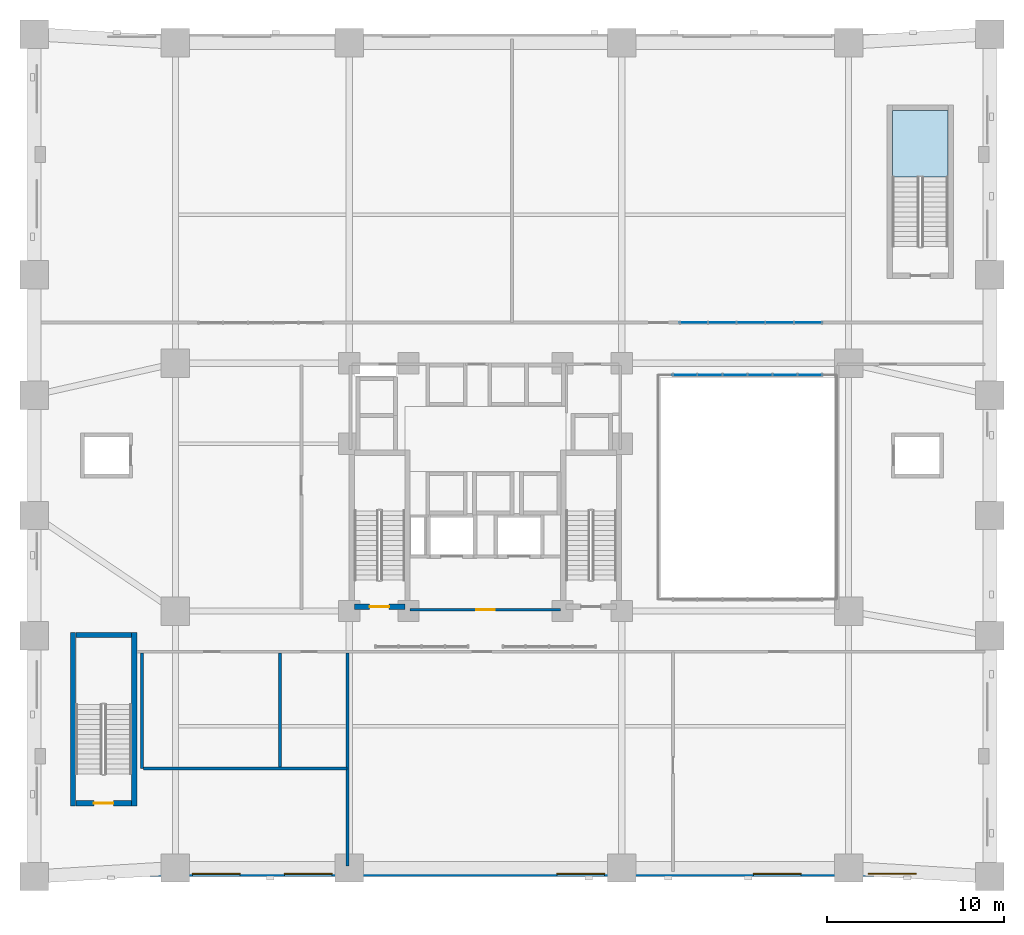
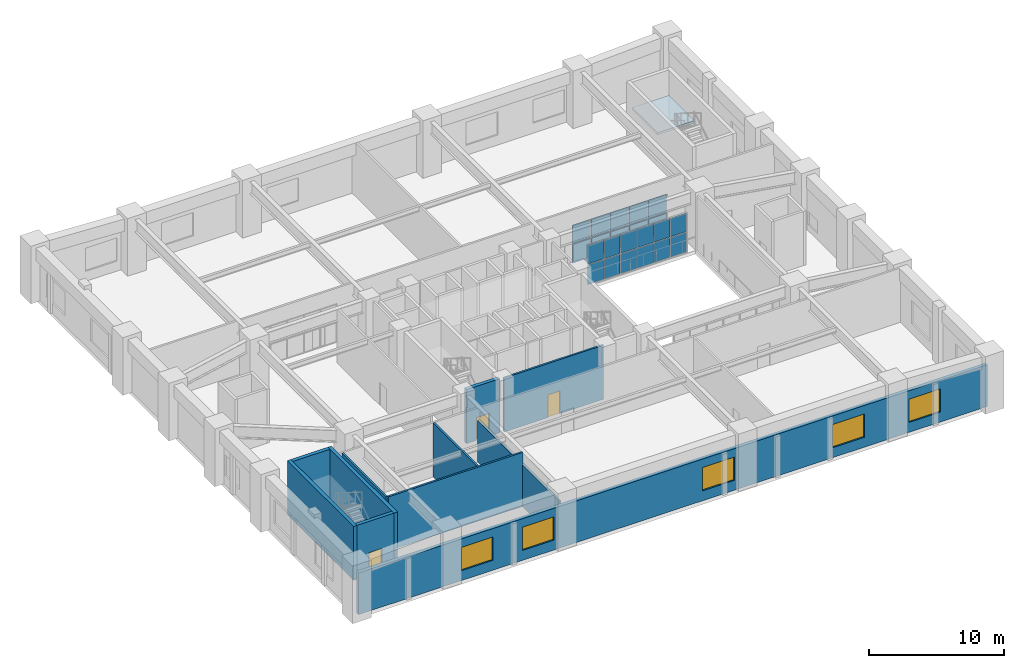
# One storey, part 7 of 14: 22 plates, 11 walls, 5 windows, 3 doors, 1 slab, 8 openings, 3 elements without a shape of their own.
"""IFC4 building model written with IfcOpenShell, lengths in metres."""

from ifc_helpers import new_model, si_unit, derived_unit, direction, frame, frame_2d, origin, origin_2d, place, context, subcontext, project, spatial, polyline, rectangle, outline, extrude, material, layer, layer_set, type_object, element, fill, aggregate, save


model = new_model("IFC4")

# Units and contexts
model_context = context("Model", 3, precision=1e-05, world=origin(), true_north=direction((0.0, 1.0)))
body_context = subcontext(model_context, "Body", "Model", "MODEL_VIEW")
ifc_project = project(units=[si_unit("LENGTHUNIT", "METRE"), si_unit("AREAUNIT", "SQUARE_METRE"), si_unit("VOLUMEUNIT", "CUBIC_METRE"), si_unit("PLANEANGLEUNIT", "RADIAN"), si_unit("MASSUNIT", "GRAM", prefix="KILO"), derived_unit("THERMALTRANSMITTANCEUNIT", [(si_unit("MASSUNIT", "GRAM", prefix="KILO"), 1), (si_unit("TIMEUNIT", "SECOND"), -3), (si_unit("THERMODYNAMICTEMPERATUREUNIT", "KELVIN"), -1)])], contexts=[model_context])

# Site, building, storey
site_placement = place(None, origin())
site = spatial("IfcSite", under=ifc_project, at=site_placement, CompositionType="ELEMENT")
building_placement = place(site_placement, origin())
building = spatial("IfcBuilding", under=site, at=building_placement, Name="Korrvale Station Residences", CompositionType="ELEMENT")
storey_placement = place(building_placement, frame((0.0, 0.0, 6.0)))
storey = spatial("IfcBuildingStorey", under=building, at=storey_placement, Name="L01", CompositionType="ELEMENT", Elevation=6.0)

# Curtain wall, plates
ifc_material_1 = material(Name="Unitised thermally broken aluminium curtain wall with triple low-e IGU", Category="aluminium")
curtain_wall_type_1 = type_object("IfcCurtainWallType", Name="CW-ATR-POD", PredefinedType="NOTDEFINED", material=ifc_material_1)
curtain_wall_1_placement = place(storey_placement, origin())
curtain_wall_1 = element("IfcCurtainWall", 1, at=curtain_wall_1_placement, inside=storey, type_object=curtain_wall_type_1, Name="L01 Curtain Wall CW3-RUN-2", PredefinedType="NOTDEFINED")
ifc_material_2 = material(Name="Triple-glazed low-e argon insulated glass unit", Category="glass")
ifc_layer_1 = layer(ifc_material_2, 0.035888671875, Name="Triple-glazed low-e argon insulated glass unit")
ifc_layer_set_1 = layer_set([ifc_layer_1], Name="Triple-glazed low-e argon insulated glass unit")
plate_type_1 = type_object("IfcPlateType", Name="CW-ATR-POD-P", PredefinedType="CURTAIN_PANEL", material=ifc_layer_set_1)
plate_1_placement = place(storey_placement, frame((36.75830078125, 28.35009765625, 0.030029296875), z_axis=(0.0, 0.0, 1.0), x_axis=(1.0, 0.0, 0.0)))
plate_1 = element("IfcPlate", 2, at=plate_1_placement, type_object=plate_type_1, Name="CW-ATR-POD Glazing Panel 1-1", PredefinedType="CURTAIN_PANEL", context=body_context, shape_type="SweptSolid", body=[
    extrude(rectangle(XDim=1.356689453125, YDim=0.035888671875, at=origin_2d()), origin(), (0.0, 0.0, 1.0), 1.7900390625),
])
plate_2_placement = place(storey_placement, frame((36.75830078125, 28.35009765625, 1.880126953125), z_axis=(0.0, 0.0, 1.0), x_axis=(1.0, 0.0, 0.0)))
plate_2 = element("IfcPlate", 3, at=plate_2_placement, type_object=plate_type_1, Name="CW-ATR-POD Glazing Panel 1-2", PredefinedType="CURTAIN_PANEL", context=body_context, shape_type="SweptSolid", body=[
    extrude(rectangle(XDim=1.356689453125, YDim=0.035888671875, at=origin_2d()), origin(), (0.0, 0.0, 1.0), 1.68994140625),
])
plate_3_placement = place(storey_placement, frame((38.175048828125, 28.35009765625, 0.030029296875), z_axis=(0.0, 0.0, 1.0), x_axis=(1.0, 0.0, 0.0)))
plate_3 = element("IfcPlate", 4, at=plate_3_placement, type_object=plate_type_1, Name="CW-ATR-POD Glazing Panel 2-1", PredefinedType="CURTAIN_PANEL", context=body_context, shape_type="SweptSolid", body=[
    extrude(rectangle(XDim=1.356689453125, YDim=0.035888671875, at=origin_2d()), origin(), (0.0, 0.0, 1.0), 1.7900390625),
])
plate_4_placement = place(storey_placement, frame((38.175048828125, 28.35009765625, 1.880126953125), z_axis=(0.0, 0.0, 1.0), x_axis=(1.0, 0.0, 0.0)))
plate_4 = element("IfcPlate", 5, at=plate_4_placement, type_object=plate_type_1, Name="CW-ATR-POD Glazing Panel 2-2", PredefinedType="CURTAIN_PANEL", context=body_context, shape_type="SweptSolid", body=[
    extrude(rectangle(XDim=1.356689453125, YDim=0.035888671875, at=origin_2d()), origin(), (0.0, 0.0, 1.0), 1.68994140625),
])
plate_5_placement = place(storey_placement, frame((39.591796875, 28.35009765625, 0.030029296875), z_axis=(0.0, 0.0, 1.0), x_axis=(1.0, 0.0, 0.0)))
plate_5 = element("IfcPlate", 6, at=plate_5_placement, type_object=plate_type_1, Name="CW-ATR-POD Glazing Panel 3-1", PredefinedType="CURTAIN_PANEL", context=body_context, shape_type="SweptSolid", body=[
    extrude(rectangle(XDim=1.356689453125, YDim=0.035888671875, at=origin_2d()), origin(), (0.0, 0.0, 1.0), 1.7900390625),
])
plate_6_placement = place(storey_placement, frame((39.591796875, 28.35009765625, 1.880126953125), z_axis=(0.0, 0.0, 1.0), x_axis=(1.0, 0.0, 0.0)))
plate_6 = element("IfcPlate", 7, at=plate_6_placement, type_object=plate_type_1, Name="CW-ATR-POD Glazing Panel 3-2", PredefinedType="CURTAIN_PANEL", context=body_context, shape_type="SweptSolid", body=[
    extrude(rectangle(XDim=1.356689453125, YDim=0.035888671875, at=origin_2d()), origin(), (0.0, 0.0, 1.0), 1.68994140625),
])
plate_7_placement = place(storey_placement, frame((41.00830078125, 28.35009765625, 0.030029296875), z_axis=(0.0, 0.0, 1.0), x_axis=(1.0, 0.0, 0.0)))
plate_7 = element("IfcPlate", 8, at=plate_7_placement, type_object=plate_type_1, Name="CW-ATR-POD Glazing Panel 4-1", PredefinedType="CURTAIN_PANEL", context=body_context, shape_type="SweptSolid", body=[
    extrude(rectangle(XDim=1.356689453125, YDim=0.035888671875, at=origin_2d()), origin(), (0.0, 0.0, 1.0), 1.7900390625),
])
plate_8_placement = place(storey_placement, frame((41.00830078125, 28.35009765625, 1.880126953125), z_axis=(0.0, 0.0, 1.0), x_axis=(1.0, 0.0, 0.0)))
plate_8 = element("IfcPlate", 9, at=plate_8_placement, type_object=plate_type_1, Name="CW-ATR-POD Glazing Panel 4-2", PredefinedType="CURTAIN_PANEL", context=body_context, shape_type="SweptSolid", body=[
    extrude(rectangle(XDim=1.356689453125, YDim=0.035888671875, at=origin_2d()), origin(), (0.0, 0.0, 1.0), 1.68994140625),
])
plate_9_placement = place(storey_placement, frame((42.425048828125, 28.35009765625, 0.030029296875), z_axis=(0.0, 0.0, 1.0), x_axis=(1.0, 0.0, 0.0)))
plate_9 = element("IfcPlate", 10, at=plate_9_placement, type_object=plate_type_1, Name="CW-ATR-POD Glazing Panel 5-1", PredefinedType="CURTAIN_PANEL", context=body_context, shape_type="SweptSolid", body=[
    extrude(rectangle(XDim=1.356689453125, YDim=0.035888671875, at=origin_2d()), origin(), (0.0, 0.0, 1.0), 1.7900390625),
])
plate_10_placement = place(storey_placement, frame((42.425048828125, 28.35009765625, 1.880126953125), z_axis=(0.0, 0.0, 1.0), x_axis=(1.0, 0.0, 0.0)))
plate_10 = element("IfcPlate", 11, at=plate_10_placement, type_object=plate_type_1, Name="CW-ATR-POD Glazing Panel 5-2", PredefinedType="CURTAIN_PANEL", context=body_context, shape_type="SweptSolid", body=[
    extrude(rectangle(XDim=1.356689453125, YDim=0.035888671875, at=origin_2d()), origin(), (0.0, 0.0, 1.0), 1.68994140625),
])
plate_11_placement = place(storey_placement, frame((43.841796875, 28.35009765625, 0.030029296875), z_axis=(0.0, 0.0, 1.0), x_axis=(1.0, 0.0, 0.0)))
plate_11 = element("IfcPlate", 12, at=plate_11_placement, type_object=plate_type_1, Name="CW-ATR-POD Glazing Panel 6-1", PredefinedType="CURTAIN_PANEL", context=body_context, shape_type="SweptSolid", body=[
    extrude(rectangle(XDim=1.356689453125, YDim=0.035888671875, at=origin_2d()), origin(), (0.0, 0.0, 1.0), 1.7900390625),
])
plate_12_placement = place(storey_placement, frame((43.841796875, 28.35009765625, 1.880126953125), z_axis=(0.0, 0.0, 1.0), x_axis=(1.0, 0.0, 0.0)))
plate_12 = element("IfcPlate", 13, at=plate_12_placement, type_object=plate_type_1, Name="CW-ATR-POD Glazing Panel 6-2", PredefinedType="CURTAIN_PANEL", context=body_context, shape_type="SweptSolid", body=[
    extrude(rectangle(XDim=1.356689453125, YDim=0.035888671875, at=origin_2d()), origin(), (0.0, 0.0, 1.0), 1.68994140625),
])
aggregate(curtain_wall_1, [plate_1, plate_2, plate_3, plate_4, plate_5, plate_6, plate_7, plate_8, plate_9, plate_10, plate_11, plate_12])

curtain_wall_type_2 = type_object("IfcCurtainWallType", Name="CW-STN-CON", PredefinedType="NOTDEFINED", material=ifc_material_1)
curtain_wall_2_placement = place(storey_placement, origin())
curtain_wall_2 = element("IfcCurtainWall", 14, at=curtain_wall_2_placement, inside=storey, type_object=curtain_wall_type_2, Name="L01 Curtain Wall CW2-RUN-4", PredefinedType="NOTDEFINED")
ifc_layer_2 = layer(ifc_material_2, 0.035888671875, Name="Triple-glazed low-e argon insulated glass unit")
ifc_layer_set_2 = layer_set([ifc_layer_2], Name="Triple-glazed low-e argon insulated glass unit")
plate_type_2 = type_object("IfcPlateType", Name="CW-STN-CON-P", PredefinedType="CURTAIN_PANEL", material=ifc_layer_set_2)
plate_13_placement = place(storey_placement, frame((37.260009765625, 31.300048828125, 0.02978515625), z_axis=(0.0, 0.0, 1.0), x_axis=(1.0, 0.0, 0.0)))
plate_13 = element("IfcPlate", 15, at=plate_13_placement, type_object=plate_type_2, Name="CW-STN-CON Glazing Panel 1-1", PredefinedType="CURTAIN_PANEL", context=body_context, shape_type="SweptSolid", body=[
    extrude(rectangle(XDim=1.56005859375, YDim=0.035888671875, at=origin_2d()), origin(), (0.0, 0.0, 1.0), 1.739990234375),
])
plate_14_placement = place(storey_placement, frame((37.260009765625, 31.300048828125, 1.830078125), z_axis=(0.0, 0.0, 1.0), x_axis=(1.0, 0.0, 0.0)))
plate_14 = element("IfcPlate", 16, at=plate_14_placement, type_object=plate_type_2, Name="CW-STN-CON Glazing Panel 1-2", PredefinedType="CURTAIN_PANEL", context=body_context, shape_type="SweptSolid", body=[
    extrude(rectangle(XDim=1.56005859375, YDim=0.035888671875, at=origin_2d()), origin(), (0.0, 0.0, 1.0), 1.639892578125),
])
plate_15_placement = place(storey_placement, frame((38.8798828125, 31.300048828125, 0.02978515625), z_axis=(0.0, 0.0, 1.0), x_axis=(1.0, 0.0, 0.0)))
plate_15 = element("IfcPlate", 17, at=plate_15_placement, type_object=plate_type_2, Name="CW-STN-CON Glazing Panel 2-1", PredefinedType="CURTAIN_PANEL", context=body_context, shape_type="SweptSolid", body=[
    extrude(rectangle(XDim=1.56005859375, YDim=0.035888671875, at=origin_2d()), origin(), (0.0, 0.0, 1.0), 1.739990234375),
])
plate_16_placement = place(storey_placement, frame((38.8798828125, 31.300048828125, 1.830078125), z_axis=(0.0, 0.0, 1.0), x_axis=(1.0, 0.0, 0.0)))
plate_16 = element("IfcPlate", 18, at=plate_16_placement, type_object=plate_type_2, Name="CW-STN-CON Glazing Panel 2-2", PredefinedType="CURTAIN_PANEL", context=body_context, shape_type="SweptSolid", body=[
    extrude(rectangle(XDim=1.56005859375, YDim=0.035888671875, at=origin_2d()), origin(), (0.0, 0.0, 1.0), 1.639892578125),
])
plate_17_placement = place(storey_placement, frame((40.5, 31.300048828125, 0.02978515625), z_axis=(0.0, 0.0, 1.0), x_axis=(1.0, 0.0, 0.0)))
plate_17 = element("IfcPlate", 19, at=plate_17_placement, type_object=plate_type_2, Name="CW-STN-CON Glazing Panel 3-1", PredefinedType="CURTAIN_PANEL", context=body_context, shape_type="SweptSolid", body=[
    extrude(rectangle(XDim=1.56005859375, YDim=0.035888671875, at=origin_2d()), origin(), (0.0, 0.0, 1.0), 1.739990234375),
])
plate_18_placement = place(storey_placement, frame((40.5, 31.300048828125, 1.830078125), z_axis=(0.0, 0.0, 1.0), x_axis=(1.0, 0.0, 0.0)))
plate_18 = element("IfcPlate", 20, at=plate_18_placement, type_object=plate_type_2, Name="CW-STN-CON Glazing Panel 3-2", PredefinedType="CURTAIN_PANEL", context=body_context, shape_type="SweptSolid", body=[
    extrude(rectangle(XDim=1.56005859375, YDim=0.035888671875, at=origin_2d()), origin(), (0.0, 0.0, 1.0), 1.639892578125),
])
plate_19_placement = place(storey_placement, frame((42.1201171875, 31.300048828125, 0.02978515625), z_axis=(0.0, 0.0, 1.0), x_axis=(1.0, 0.0, 0.0)))
plate_19 = element("IfcPlate", 21, at=plate_19_placement, type_object=plate_type_2, Name="CW-STN-CON Glazing Panel 4-1", PredefinedType="CURTAIN_PANEL", context=body_context, shape_type="SweptSolid", body=[
    extrude(rectangle(XDim=1.56005859375, YDim=0.035888671875, at=origin_2d()), origin(), (0.0, 0.0, 1.0), 1.739990234375),
])
plate_20_placement = place(storey_placement, frame((42.1201171875, 31.300048828125, 1.830078125), z_axis=(0.0, 0.0, 1.0), x_axis=(1.0, 0.0, 0.0)))
plate_20 = element("IfcPlate", 22, at=plate_20_placement, type_object=plate_type_2, Name="CW-STN-CON Glazing Panel 4-2", PredefinedType="CURTAIN_PANEL", context=body_context, shape_type="SweptSolid", body=[
    extrude(rectangle(XDim=1.56005859375, YDim=0.035888671875, at=origin_2d()), origin(), (0.0, 0.0, 1.0), 1.639892578125),
])
plate_21_placement = place(storey_placement, frame((43.739990234375, 31.300048828125, 0.02978515625), z_axis=(0.0, 0.0, 1.0), x_axis=(1.0, 0.0, 0.0)))
plate_21 = element("IfcPlate", 23, at=plate_21_placement, type_object=plate_type_2, Name="CW-STN-CON Glazing Panel 5-1", PredefinedType="CURTAIN_PANEL", context=body_context, shape_type="SweptSolid", body=[
    extrude(rectangle(XDim=1.56005859375, YDim=0.035888671875, at=origin_2d()), origin(), (0.0, 0.0, 1.0), 1.739990234375),
])
plate_22_placement = place(storey_placement, frame((43.739990234375, 31.300048828125, 1.830078125), z_axis=(0.0, 0.0, 1.0), x_axis=(1.0, 0.0, 0.0)))
plate_22 = element("IfcPlate", 24, at=plate_22_placement, type_object=plate_type_2, Name="CW-STN-CON Glazing Panel 5-2", PredefinedType="CURTAIN_PANEL", context=body_context, shape_type="SweptSolid", body=[
    extrude(rectangle(XDim=1.56005859375, YDim=0.035888671875, at=origin_2d()), origin(), (0.0, 0.0, 1.0), 1.639892578125),
])
aggregate(curtain_wall_2, [plate_13, plate_14, plate_15, plate_16, plate_17, plate_18, plate_19, plate_20, plate_21, plate_22])

# Stair, slab
ifc_material_3 = material(Name="Concrete C50/60", Category="concrete")
stair_type = type_object("IfcStairType", Name="STR-DL-1500-30R-1733", PredefinedType="HALF_TURN_STAIR", material=ifc_material_3)
stair_placement = place(storey_placement, origin())
stair = element("IfcStair", 25, at=stair_placement, inside=storey, type_object=stair_type, Name="L01 Station Exit Stair 4", PredefinedType="HALF_TURN_STAIR")
ifc_layer_3 = layer(ifc_material_3, 0.199951171875, Name="Concrete C50/60")
ifc_layer_set_3 = layer_set([ifc_layer_3], Name="Concrete C50/60")
slab_type = type_object("IfcSlabType", Name="SLB-LND-200", PredefinedType="LANDING", material=ifc_layer_set_3)
slab_placement = place(storey_placement, frame((0.0, 0.0, 2.39990234375)))
slab = element("IfcSlab", 26, at=slab_placement, type_object=slab_type, Name="ST-4 landing 1", PredefinedType="LANDING", context=body_context, shape_type="SweptSolid", body=[
    extrude(outline(polyline([(51.64990234375, 39.52001953125), (51.64990234375, 43.300048828125), (48.5, 43.300048828125), (48.5, 39.52001953125), (51.64990234375, 39.52001953125)])), origin(), (0.0, 0.0, 1.0), 0.2001953125),
])
aggregate(stair, [slab])

# Wall, opening, door
ifc_material_4 = material(Name="Concrete C70/85", Category="concrete")
ifc_layer_4 = layer(ifc_material_4, 0.300048828125, Name="Concrete C70/85")
ifc_layer_set_4 = layer_set([ifc_layer_4], Name="Concrete C70/85")
wall_type_1 = type_object("IfcWallType", Name="WAL-CORE-300-C70", PredefinedType="SHEAR", material=ifc_layer_set_4)
wall_1_placement = place(storey_placement, frame((18.10009765625, 15.25, 0.0), z_axis=(0.0, 0.0, 1.0), x_axis=(1.0, 0.0, 0.0)))
wall_1 = element("IfcWall", 27, at=wall_1_placement, inside=storey, type_object=wall_type_1, Name="L01 ST-1 Core Shear Wall South", PredefinedType="SHEAR", context=body_context, shape_type="SweptSolid", body=[
    extrude(rectangle(XDim=2.849853515625, YDim=0.300048828125, at=frame_2d((1.4248046875, 0.0))), origin(), (0.0, 0.0, 1.0), 4.8798828125),
])
opening_1_placement = place(wall_1_placement, frame((0.860107421875, 0.0, 0.0)))
opening_1 = element("IfcOpeningElement", 28, at=opening_1_placement, cuts=wall_1, Name="Opening SD-1100", PredefinedType="OPENING", context=body_context, shape_type="SweptSolid", body=[
    extrude(rectangle(XDim=1.10009765625, YDim=2.050048828125, at=frame_2d((0.550048828125, 1.02490234375))), frame((0.0, 0.16015625, 0.0), z_axis=(0.0, -1.0, 0.0), x_axis=(1.0, 0.0, 0.0)), (0.0, 0.0, 1.0), 0.320068359375),
])
ifc_material_5 = material(Name="Hollow-metal fire-rated stair door with closer", Category="steel")
door_type_1 = type_object("IfcDoorType", Name="DR-STAIR-1100", OperationType="NOTDEFINED", PredefinedType="DOOR", material=ifc_material_5)
door_1_placement = place(opening_1_placement, origin())
door_1 = element("IfcDoor", 29, at=door_1_placement, inside=storey, type_object=door_type_1, Name="L01 ST-1 Exit Stair Door", OperationType="SINGLE_SWING_LEFT", OverallHeight=2.050048828125, OverallWidth=1.10009765625, PredefinedType="DOOR", context=body_context, shape_type="SweptSolid", body=[
    extrude(rectangle(XDim=1.10009765625, YDim=2.050048828125, at=frame_2d((0.550048828125, 1.02490234375))), frame((0.0, 0.02490234375, 0.0), z_axis=(0.0, -1.0, 0.0), x_axis=(1.0, 0.0, 0.0)), (0.0, 0.0, 1.0), 0.050048828125),
])
fill(opening_1, door_1)

# Walls
for number, where, z_axis, x_axis, name in (
    (30, (2.199951171875, 4.0, 0.0), (0.0, 0.0, 1.0), (0.0, 1.0, 0.0), "L01 ST-3 Core Shear Wall West"),
    (31, (5.64990234375, 4.0, 0.0), (0.0, 0.0, 1.0), (0.0, 1.0, 0.0), "L01 ST-3 Core Shear Wall East"),
):
    element("IfcWall", number, at=place(storey_placement, frame(where, z_axis=z_axis, x_axis=x_axis)), inside=storey, type_object=wall_type_1, Name=name, PredefinedType="SHEAR", context=body_context, shape_type="SweptSolid", body=[
        extrude(rectangle(XDim=9.800048828125, YDim=0.300048828125, at=frame_2d((4.89990234375, 0.0))), origin(), (0.0, 0.0, 1.0), 4.8798828125),
    ])
wall_2_placement = place(storey_placement, frame((2.35009765625, 13.64990234375, 0.0), z_axis=(0.0, 0.0, 1.0), x_axis=(1.0, 0.0, 0.0)))
element("IfcWall", 32, at=wall_2_placement, inside=storey, type_object=wall_type_1, Name="L01 ST-3 Core Shear Wall North", PredefinedType="SHEAR", context=body_context, shape_type="SweptSolid", body=[
    extrude(rectangle(XDim=3.14990234375, YDim=0.300048828125, at=frame_2d((1.574951171875, 0.0))), origin(), (0.0, 0.0, 1.0), 4.8798828125),
])

# Wall, opening, door
wall_3_placement = place(storey_placement, frame((2.35009765625, 4.14990234375, 0.0), z_axis=(0.0, 0.0, 1.0), x_axis=(1.0, 0.0, 0.0)))
wall_3 = element("IfcWall", 33, at=wall_3_placement, inside=storey, type_object=wall_type_1, Name="L01 ST-3 Core Shear Wall South", PredefinedType="SHEAR", context=body_context, shape_type="SweptSolid", body=[
    extrude(rectangle(XDim=3.14990234375, YDim=0.300048828125, at=frame_2d((1.574951171875, 0.0))), origin(), (0.0, 0.0, 1.0), 4.8798828125),
])
opening_2_placement = place(wall_3_placement, frame((1.02001953125, 0.0, 0.0)))
opening_2 = element("IfcOpeningElement", 34, at=opening_2_placement, cuts=wall_3, Name="Opening SD-1100", PredefinedType="OPENING", context=body_context, shape_type="SweptSolid", body=[
    extrude(rectangle(XDim=1.10009765625, YDim=2.050048828125, at=frame_2d((0.550048828125, 1.02490234375))), frame((0.0, 0.16015625, 0.0), z_axis=(0.0, -1.0, 0.0), x_axis=(1.0, 0.0, 0.0)), (0.0, 0.0, 1.0), 0.320068359375),
])
door_2_placement = place(opening_2_placement, origin())
door_2 = element("IfcDoor", 35, at=door_2_placement, inside=storey, type_object=door_type_1, Name="L01 ST-3 Exit Stair Door", OperationType="SINGLE_SWING_LEFT", OverallHeight=2.050048828125, OverallWidth=1.10009765625, PredefinedType="DOOR", context=body_context, shape_type="SweptSolid", body=[
    extrude(rectangle(XDim=1.10009765625, YDim=2.050048828125, at=frame_2d((0.550048828125, 1.02490234375))), frame((0.0, 0.02490234375, 0.0), z_axis=(0.0, -1.0, 0.0), x_axis=(1.0, 0.0, 0.0)), (0.0, 0.0, 1.0), 0.050048828125),
])
fill(opening_2, door_2)

# Wall, openings, windows
ifc_material_6 = material(Name="Precast concrete C45/55", Category="concrete")
ifc_layer_5 = layer(ifc_material_6, 0.300048828125, Name="Precast concrete C45/55")
ifc_layer_set_5 = layer_set([ifc_layer_5], Name="Precast concrete C45/55")
wall_type_2 = type_object("IfcWallType", Name="WAL-EXT-PC300", PredefinedType="SOLIDWALL", material=ifc_layer_set_5)
wall_4_placement = place(storey_placement, frame((53.840087890625, 0.14990234375, 0.0), z_axis=(0.0, 0.0, 1.0), x_axis=(-1.0, 0.0, 0.0)))
wall_4 = element("IfcWall", 36, at=wall_4_placement, inside=storey, type_object=wall_type_2, Name="L01 South Exterior Precast Wall 1", PredefinedType="SOLIDWALL", context=body_context, shape_type="SweptSolid", body=[
    extrude(rectangle(XDim=53.68017578125, YDim=0.300048828125, at=frame_2d((26.840087890625, 0.0))), origin(), (0.0, 0.0, 1.0), 3.764892578125),
])
opening_3_placement = place(wall_4_placement, frame((4.0, 0.0, 0.89990234375)))
opening_3 = element("IfcOpeningElement", 37, at=opening_3_placement, cuts=wall_4, Name="Opening W-07", PredefinedType="OPENING", context=body_context, shape_type="SweptSolid", body=[
    extrude(rectangle(XDim=2.699951171875, YDim=2.10009765625, at=frame_2d((1.35009765625, 1.050048828125))), frame((0.0, 0.16015625, 0.0), z_axis=(0.0, -1.0, 0.0), x_axis=(1.0, 0.0, 0.0)), (0.0, 0.0, 1.0), 0.320068359375),
])
opening_4_placement = place(wall_4_placement, frame((10.5, 0.0, 0.89990234375)))
opening_4 = element("IfcOpeningElement", 38, at=opening_4_placement, cuts=wall_4, Name="Opening W-07", PredefinedType="OPENING", context=body_context, shape_type="SweptSolid", body=[
    extrude(rectangle(XDim=2.699951171875, YDim=2.10009765625, at=frame_2d((1.35009765625, 1.050048828125))), frame((0.0, 0.16015625, 0.0), z_axis=(0.0, -1.0, 0.0), x_axis=(1.0, 0.0, 0.0)), (0.0, 0.0, 1.0), 0.320068359375),
])
opening_5_placement = place(wall_4_placement, frame((21.60009765625, 0.0, 0.89990234375)))
opening_5 = element("IfcOpeningElement", 39, at=opening_5_placement, cuts=wall_4, Name="Opening W-07", PredefinedType="OPENING", context=body_context, shape_type="SweptSolid", body=[
    extrude(rectangle(XDim=2.699951171875, YDim=2.10009765625, at=frame_2d((1.35009765625, 1.050048828125))), frame((0.0, 0.16015625, 0.0), z_axis=(0.0, -1.0, 0.0), x_axis=(1.0, 0.0, 0.0)), (0.0, 0.0, 1.0), 0.320068359375),
])
opening_6_placement = place(wall_4_placement, frame((37.0, 0.0, 0.89990234375)))
opening_6 = element("IfcOpeningElement", 40, at=opening_6_placement, cuts=wall_4, Name="Opening W-07", PredefinedType="OPENING", context=body_context, shape_type="SweptSolid", body=[
    extrude(rectangle(XDim=2.699951171875, YDim=2.10009765625, at=frame_2d((1.35009765625, 1.050048828125))), frame((0.0, 0.16015625, 0.0), z_axis=(0.0, -1.0, 0.0), x_axis=(1.0, 0.0, 0.0)), (0.0, 0.0, 1.0), 0.320068359375),
])
opening_7_placement = place(wall_4_placement, frame((42.199951171875, 0.0, 0.89990234375)))
opening_7 = element("IfcOpeningElement", 41, at=opening_7_placement, cuts=wall_4, Name="Opening W-07", PredefinedType="OPENING", context=body_context, shape_type="SweptSolid", body=[
    extrude(rectangle(XDim=2.699951171875, YDim=2.10009765625, at=frame_2d((1.35009765625, 1.050048828125))), frame((0.0, 0.16015625, 0.0), z_axis=(0.0, -1.0, 0.0), x_axis=(1.0, 0.0, 0.0)), (0.0, 0.0, 1.0), 0.320068359375),
])
ifc_material_7 = material(Name="Thermally broken aluminium frame with triple low-e glazing", Category="aluminium")
window_type = type_object("IfcWindowType", Name="WIN-W07", PartitioningType="TRIPLE_PANEL_VERTICAL", PredefinedType="WINDOW", material=ifc_material_7)
window_1_placement = place(opening_3_placement, origin())
window_1 = element("IfcWindow", 42, at=window_1_placement, inside=storey, type_object=window_type, Name="L01 Station Concourse Punched Window 11", OverallHeight=2.10009765625, OverallWidth=2.699951171875, PartitioningType="TRIPLE_PANEL_VERTICAL", PredefinedType="WINDOW", context=body_context, shape_type="SweptSolid", body=[
    extrude(rectangle(XDim=2.699951171875, YDim=2.10009765625, at=frame_2d((1.35009765625, 1.050048828125))), frame((0.0, 0.030029296875, 0.0), z_axis=(0.0, -1.0, 0.0), x_axis=(1.0, 0.0, 0.0)), (0.0, 0.0, 1.0), 0.06005859375),
])
fill(opening_3, window_1)
window_2_placement = place(opening_4_placement, origin())
window_2 = element("IfcWindow", 43, at=window_2_placement, inside=storey, type_object=window_type, Name="L01 Station Concourse Punched Window 12", OverallHeight=2.10009765625, OverallWidth=2.699951171875, PartitioningType="TRIPLE_PANEL_VERTICAL", PredefinedType="WINDOW", context=body_context, shape_type="SweptSolid", body=[
    extrude(rectangle(XDim=2.699951171875, YDim=2.10009765625, at=frame_2d((1.35009765625, 1.050048828125))), frame((0.0, 0.030029296875, 0.0), z_axis=(0.0, -1.0, 0.0), x_axis=(1.0, 0.0, 0.0)), (0.0, 0.0, 1.0), 0.06005859375),
])
fill(opening_4, window_2)
window_3_placement = place(opening_5_placement, origin())
window_3 = element("IfcWindow", 44, at=window_3_placement, inside=storey, type_object=window_type, Name="L01 Station Concourse Punched Window 13", OverallHeight=2.10009765625, OverallWidth=2.699951171875, PartitioningType="TRIPLE_PANEL_VERTICAL", PredefinedType="WINDOW", context=body_context, shape_type="SweptSolid", body=[
    extrude(rectangle(XDim=2.699951171875, YDim=2.10009765625, at=frame_2d((1.35009765625, 1.050048828125))), frame((0.0, 0.030029296875, 0.0), z_axis=(0.0, -1.0, 0.0), x_axis=(1.0, 0.0, 0.0)), (0.0, 0.0, 1.0), 0.06005859375),
])
fill(opening_5, window_3)
window_4_placement = place(opening_6_placement, origin())
window_4 = element("IfcWindow", 45, at=window_4_placement, inside=storey, type_object=window_type, Name="L01 Station Concourse Punched Window 14", OverallHeight=2.10009765625, OverallWidth=2.699951171875, PartitioningType="TRIPLE_PANEL_VERTICAL", PredefinedType="WINDOW", context=body_context, shape_type="SweptSolid", body=[
    extrude(rectangle(XDim=2.699951171875, YDim=2.10009765625, at=frame_2d((1.35009765625, 1.050048828125))), frame((0.0, 0.030029296875, 0.0), z_axis=(0.0, -1.0, 0.0), x_axis=(1.0, 0.0, 0.0)), (0.0, 0.0, 1.0), 0.06005859375),
])
fill(opening_6, window_4)
window_5_placement = place(opening_7_placement, origin())
window_5 = element("IfcWindow", 46, at=window_5_placement, inside=storey, type_object=window_type, Name="L01 Station Concourse Punched Window 15", OverallHeight=2.10009765625, OverallWidth=2.699951171875, PartitioningType="TRIPLE_PANEL_VERTICAL", PredefinedType="WINDOW", context=body_context, shape_type="SweptSolid", body=[
    extrude(rectangle(XDim=2.699951171875, YDim=2.10009765625, at=frame_2d((1.35009765625, 1.050048828125))), frame((0.0, 0.030029296875, 0.0), z_axis=(0.0, -1.0, 0.0), x_axis=(1.0, 0.0, 0.0)), (0.0, 0.0, 1.0), 0.06005859375),
])
fill(opening_7, window_5)

# Wall, opening, door
ifc_material_8 = material(Name="Fire-rated twin-stud gypsum and mineral wool shaftwall assembly", Category="gypsum")
ifc_layer_6 = layer(ifc_material_8, 0.159912109375, Name="Fire-rated twin-stud gypsum and mineral wool shaftwall assembly")
ifc_layer_set_6 = layer_set([ifc_layer_6], Name="Fire-rated twin-stud gypsum and mineral wool shaftwall assembly")
wall_type_3 = type_object("IfcWallType", Name="WAL-PART-200", PredefinedType="PARTITIONING", material=ifc_layer_set_6)
wall_5_placement = place(storey_placement, frame((21.25, 15.080078125, 0.0), z_axis=(0.0, 0.0, 1.0), x_axis=(1.0, 0.0, 0.0)))
wall_5 = element("IfcWall", 47, at=wall_5_placement, inside=storey, type_object=wall_type_3, Name="L01 Core Partition CW-FFL-S", PredefinedType="PARTITIONING", context=body_context, shape_type="SweptSolid", body=[
    extrude(rectangle(XDim=8.5, YDim=0.159912109375, at=frame_2d((4.25, 0.0))), origin(), (0.0, 0.0, 1.0), 4.8798828125),
])
opening_8_placement = place(wall_5_placement, frame((3.72509765625, 0.0, 0.0)))
opening_8 = element("IfcOpeningElement", 48, at=opening_8_placement, cuts=wall_5, Name="Opening FD-1050", PredefinedType="OPENING", context=body_context, shape_type="SweptSolid", body=[
    extrude(rectangle(XDim=1.050048828125, YDim=2.050048828125, at=frame_2d((0.52490234375, 1.02490234375))), frame((0.0, 0.08984375, 0.0), z_axis=(0.0, -1.0, 0.0), x_axis=(1.0, 0.0, 0.0)), (0.0, 0.0, 1.0), 0.179931640625),
])
ifc_material_9 = material(Name="Fire-rated mineral-core timber lobby door", Category="wood")
door_type_2 = type_object("IfcDoorType", Name="DR-CORE-1050", OperationType="NOTDEFINED", PredefinedType="DOOR", material=ifc_material_9)
door_3_placement = place(opening_8_placement, origin())
door_3 = element("IfcDoor", 49, at=door_3_placement, inside=storey, type_object=door_type_2, Name="L01 Firefighting Lobby Entry Door", OperationType="SINGLE_SWING_LEFT", OverallHeight=2.050048828125, OverallWidth=1.050048828125, PredefinedType="DOOR", context=body_context, shape_type="SweptSolid", body=[
    extrude(rectangle(XDim=1.050048828125, YDim=2.050048828125, at=frame_2d((0.52490234375, 1.02490234375))), frame((0.0, 0.02490234375, 0.0), z_axis=(0.0, -1.0, 0.0), x_axis=(1.0, 0.0, 0.0)), (0.0, 0.0, 1.0), 0.050048828125),
])
fill(opening_8, door_3)

# Walls
wall_6_placement = place(storey_placement, frame((6.10009765625, 6.10009765625, 0.0), z_axis=(0.0, 0.0, 1.0), x_axis=(0.0, 1.0, 0.0)))
element("IfcWall", 50, at=wall_6_placement, inside=storey, type_object=wall_type_3, Name="L01 Interior Partition W-WC-W", PredefinedType="PARTITIONING", context=body_context, shape_type="SweptSolid", body=[
    extrude(rectangle(XDim=6.52001953125, YDim=0.159912109375, at=frame_2d((3.260009765625, 0.0))), origin(), (0.0, 0.0, 1.0), 4.8798828125),
])
wall_7_placement = place(storey_placement, frame((6.179931640625, 6.10009765625, 0.0), z_axis=(0.0, 0.0, 1.0), x_axis=(1.0, 0.0, 0.0)))
element("IfcWall", 51, at=wall_7_placement, inside=storey, type_object=wall_type_3, Name="L01 Interior Partition W-WC-S", PredefinedType="PARTITIONING", context=body_context, shape_type="SweptSolid", body=[
    extrude(rectangle(XDim=11.5, YDim=0.159912109375, at=frame_2d((5.75, 0.0))), origin(), (0.0, 0.0, 1.0), 4.8798828125),
])
wall_8_placement = place(storey_placement, frame((13.89990234375, 6.179931640625, 0.0), z_axis=(0.0, 0.0, 1.0), x_axis=(0.0, 1.0, 0.0)))
element("IfcWall", 52, at=wall_8_placement, inside=storey, type_object=wall_type_3, Name="L01 Interior Partition W-WC-M", PredefinedType="PARTITIONING", context=body_context, shape_type="SweptSolid", body=[
    extrude(rectangle(XDim=6.440185546875, YDim=0.159912109375, at=frame_2d((3.22021484375, 0.0))), origin(), (0.0, 0.0, 1.0), 4.8798828125),
])
wall_9_placement = place(storey_placement, frame((17.699951171875, 0.60009765625, 0.0), z_axis=(0.0, 0.0, 1.0), x_axis=(0.0, 1.0, 0.0)))
element("IfcWall", 53, at=wall_9_placement, inside=storey, type_object=wall_type_3, Name="L01 Interior Partition W-WC-E", PredefinedType="PARTITIONING", context=body_context, shape_type="SweptSolid", body=[
    extrude(rectangle(XDim=12.02001953125, YDim=0.159912109375, at=frame_2d((6.010009765625, 0.0))), origin(), (0.0, 0.0, 1.0), 3.764892578125),
])

save(model, "model.ifc")
